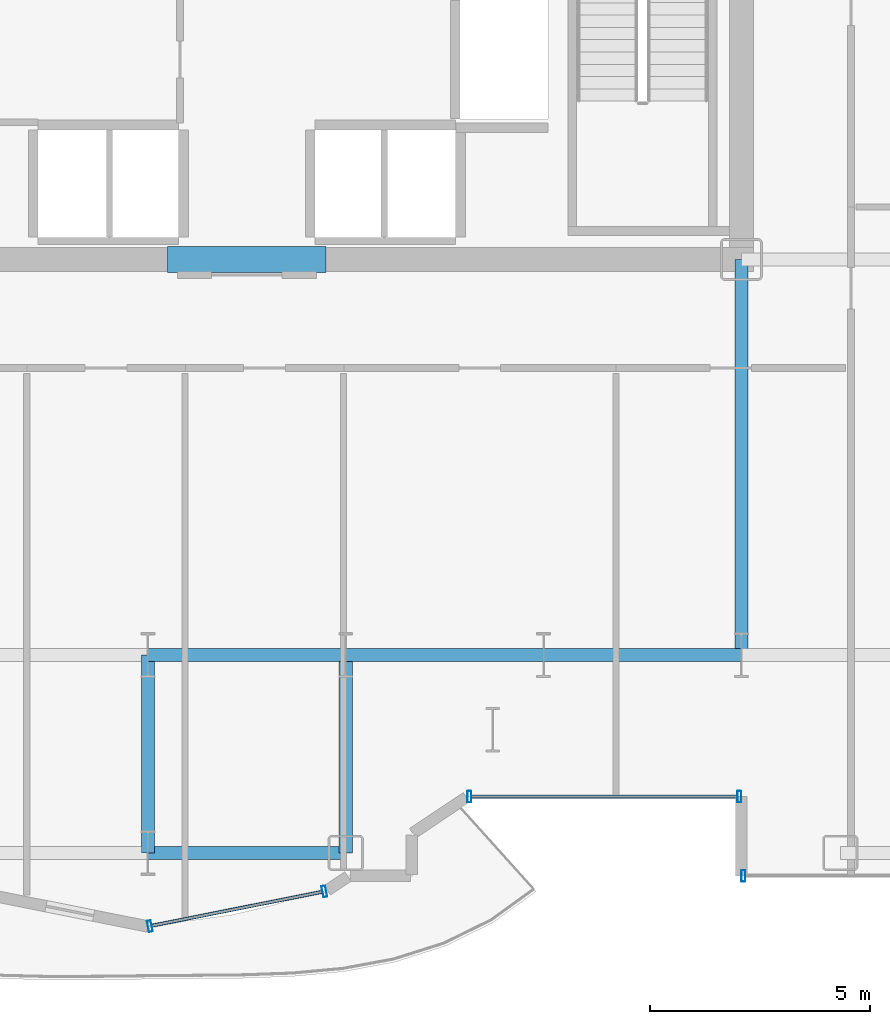
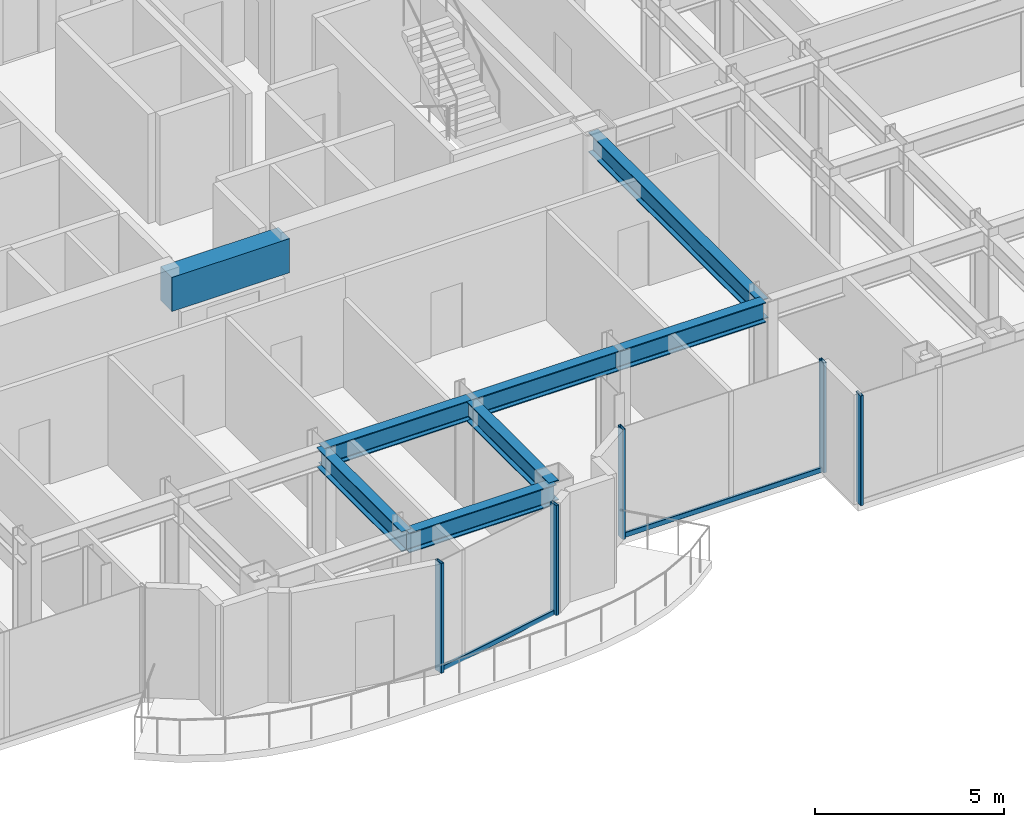
# One storey, part 8 of 29: 8 beams, 7 members, 3 elements without a shape of their own.
"""IFC4 building model written with IfcOpenShell, lengths in metres."""

from ifc_helpers import new_model, si_unit, direction, frame, origin, origin_2d, place, context, subcontext, project, spatial, rectangle, hollow_rectangle, i_section, extrude, source, transform, mapped, material, layer, layer_set, material_profile, profile_set, type_object, element, aggregate, save


model = new_model("IFC4")

# Units and contexts
model_context = context("Model", 3, precision=1e-05, world=origin(), true_north=direction((0.0, 1.0)))
body_context = subcontext(model_context, "Body", "Model", "MODEL_VIEW")
ifc_project = project(units=[si_unit("LENGTHUNIT", "METRE"), si_unit("AREAUNIT", "SQUARE_METRE"), si_unit("VOLUMEUNIT", "CUBIC_METRE"), si_unit("PLANEANGLEUNIT", "RADIAN"), si_unit("MASSUNIT", "GRAM", prefix="KILO")], contexts=[model_context])

# Site, building, storey
site_placement = place(None, origin())
site = spatial("IfcSite", under=ifc_project, at=site_placement, CompositionType="ELEMENT")
building_placement = place(site_placement, origin())
building = spatial("IfcBuilding", under=site, at=building_placement, Name="Nefas-Gora Pilgrimage Tower", CompositionType="ELEMENT")
storey_placement = place(building_placement, frame((0.0, 0.0, 113.60009765625)))
storey = spatial("IfcBuildingStorey", under=building, at=storey_placement, Name="L27", CompositionType="ELEMENT", Elevation=113.60009765625)

# Beams
ifc_material_1 = material(Name="Concrete C60/75", Category="concrete")
ifc_material_profile_1 = material_profile(ifc_material_1, rectangle(XDim=0.60009765625, YDim=1.10009765625, at=origin_2d()), Name="RC 600x1100")
ifc_profile_set_1 = profile_set([ifc_material_profile_1], Name="Concrete C60/75")
beam_type_1 = type_object("IfcBeamType", Name="BM-LIN-RC1100", PredefinedType="LINTEL", material=ifc_profile_set_1)
shared_shape_1 = source(origin(), body_context, "Body", "SweptSolid", [
    extrude(rectangle(XDim=0.60009765625, YDim=1.10009765625, at=origin_2d()), origin(), (0.0, 0.0, 1.0), 3.60009765625),
])
beam_1_placement = place(storey_placement, frame((-1.800048828125, -9.0, 3.0), z_axis=(1.0, 0.0, 0.0), x_axis=(0.0, 1.0, 0.0)))
element("IfcBeam", 1, at=beam_1_placement, inside=storey, type_object=beam_type_1, Name="L27 Core Coupling Lintel Beam S", PredefinedType="LINTEL", context=body_context, shape_type="MappedRepresentation", body=[
    mapped(shared_shape_1, transform((0.0, 0.0, 0.0), x_axis=(1.0, 0.0, 0.0), y_axis=(0.0, 1.0, 0.0), z_axis=(0.0, 0.0, 1.0), scale=1.0)),
])
ifc_material_2 = material(Name="Steel S355", Category="steel")
ifc_material_profile_2 = material_profile(ifc_material_2, i_section(OverallWidth=0.300048828125, OverallDepth=0.64990234375, WebThickness=0.01611328125, FlangeThickness=0.031005859375, FilletRadius=0.027099609375, at=origin_2d()), Name="HEB 650")
ifc_profile_set_2 = profile_set([ifc_material_profile_2], Name="Steel S355")
beam_type_2 = type_object("IfcBeamType", Name="BM-GIR-HEB650", PredefinedType="BEAM", material=ifc_profile_set_2)
shared_shape_2 = source(origin(), body_context, "Body", "SweptSolid", [
    extrude(i_section(OverallWidth=0.300048828125, OverallDepth=0.64990234375, WebThickness=0.01611328125, FlangeThickness=0.031005859375, FilletRadius=0.027099609375, at=origin_2d()), origin(), (0.0, 0.0, 1.0), 9.0),
])
beam_2_placement = place(storey_placement, frame((11.25, -18.0, 3.224853515625), z_axis=(0.0, 1.0, 0.0), x_axis=(-1.0, 0.0, 0.0)))
element("IfcBeam", 2, at=beam_2_placement, inside=storey, type_object=beam_type_2, Name="L27 G-03 beam", PredefinedType="BEAM", context=body_context, shape_type="MappedRepresentation", body=[
    mapped(shared_shape_2, transform((0.0, 0.0, 0.0), x_axis=(1.0, 0.0, 0.0), y_axis=(0.0, 1.0, 0.0), z_axis=(0.0, 0.0, 1.0), scale=1.0)),
])
shared_shape_3 = source(origin(), body_context, "Body", "SweptSolid", [
    extrude(i_section(OverallWidth=0.300048828125, OverallDepth=0.64990234375, WebThickness=0.01611328125, FlangeThickness=0.031005859375, FilletRadius=0.027099609375, at=origin_2d()), origin(), (0.0, 0.0, 1.0), 4.5),
])
for number, where, z_axis, x_axis, name in (
    (3, (-2.25, -22.5, 3.224853515625), (0.0, 1.0, 0.0), (-1.0, 0.0, 0.0), "L27 G-03 beam"),
    (4, (-2.25, -22.5, 3.224853515625), (1.0, 0.0, 0.0), (0.0, 1.0, 0.0), "L27 G-03 beam"),
    (5, (-2.25, -18.0, 3.224853515625), (1.0, 0.0, 0.0), (0.0, 1.0, 0.0), "L27 G-03 beam"),
    (6, (2.25, -22.5, 3.224853515625), (0.0, 1.0, 0.0), (-1.0, 0.0, 0.0), "L27 G-03 beam"),
    (7, (2.25, -18.0, 3.224853515625), (1.0, 0.0, 0.0), (0.0, 1.0, 0.0), "L27 G-03 beam"),
    (8, (6.75, -18.0, 3.224853515625), (1.0, 0.0, 0.0), (0.0, 1.0, 0.0), "L27 G-03 beam"),
):
    element("IfcBeam", number, at=place(storey_placement, frame(where, z_axis=z_axis, x_axis=x_axis)), inside=storey, type_object=beam_type_2, Name=name, PredefinedType="BEAM", context=body_context, shape_type="MappedRepresentation", body=[
        mapped(shared_shape_3, transform((0.0, 0.0, 0.0), x_axis=(1.0, 0.0, 0.0), y_axis=(0.0, 1.0, 0.0), z_axis=(0.0, 0.0, 1.0), scale=1.0)),
    ])

# Curtain wall, member
ifc_material_3 = material(Name="Dark ceramic-fritted solar-control aluminium-glass curtain wall", Category="aluminium")
ifc_layer_1 = layer(ifc_material_3, 0.219970703125)
ifc_layer_set_1 = layer_set([ifc_layer_1], Name="Dark ceramic-fritted solar-control aluminium-glass curtain wall")
curtain_wall_type_1 = type_object("IfcCurtainWallType", Name="CW-SYS-5", PredefinedType="NOTDEFINED", material=ifc_layer_set_1)
curtain_wall_1_placement = place(storey_placement, origin())
curtain_wall_1 = element("IfcCurtainWall", 9, at=curtain_wall_1_placement, inside=storey, type_object=curtain_wall_type_1, Name="L27 Unitised Curtain Wall CW5", PredefinedType="NOTDEFINED")
ifc_material_4 = material(Name="Anodised architectural aluminium", Category="aluminium")
ifc_material_profile_3 = material_profile(ifc_material_4, hollow_rectangle(XDim=0.080078125, YDim=0.159912109375, WallThickness=0.00439453125, InnerFilletRadius=0.00439453125, OuterFilletRadius=0.009033203125, at=origin_2d()), Name="ALU TRANSOM 80x160")
ifc_profile_set_3 = profile_set([ifc_material_profile_3], Name="Anodised architectural aluminium")
member_type_1 = type_object("IfcMemberType", Name="CWM-TRN-5", PredefinedType="USERDEFINED", material=ifc_profile_set_3)
shared_shape_4 = source(origin(), body_context, "Body", "SweptSolid", [
    extrude(hollow_rectangle(XDim=0.080078125, YDim=0.159912109375, WallThickness=0.00439453125, InnerFilletRadius=0.00439453125, OuterFilletRadius=0.009033203125, at=origin_2d()), origin(), (0.0, 0.0, 1.0), 6.052001953125),
])
member_1_placement = place(storey_placement, frame((5.10791015625, -21.219970703125, 0.0498046875), z_axis=(1.0, 0.0, 0.0), x_axis=(0.0, 1.0, 0.0)))
member_1 = element("IfcMember", 10, at=member_1_placement, type_object=member_type_1, Name="CW5 Spandrel Transom", ObjectType="TRANSOM", PredefinedType="USERDEFINED", context=body_context, shape_type="MappedRepresentation", body=[
    mapped(shared_shape_4, transform((0.0, 0.0, 0.0), x_axis=(1.0, 0.0, 0.0), y_axis=(0.0, 1.0, 0.0), z_axis=(0.0, 0.0, 1.0), scale=1.0)),
])

curtain_wall_2_placement = place(storey_placement, origin())
curtain_wall_2 = element("IfcCurtainWall", 11, at=curtain_wall_2_placement, inside=storey, type_object=curtain_wall_type_1, Name="L27 Unitised Curtain Wall CW5", PredefinedType="NOTDEFINED")
shared_shape_5 = source(origin(), body_context, "Body", "SweptSolid", [
    extrude(hollow_rectangle(XDim=0.080078125, YDim=0.159912109375, WallThickness=0.00439453125, InnerFilletRadius=0.00439453125, OuterFilletRadius=0.009033203125, at=origin_2d()), origin(), (0.0, 0.0, 1.0), 3.95654296875),
])
member_2_placement = place(storey_placement, frame((-2.16162109375, -24.15478515625, 0.0498046875), z_axis=(0.980781880918, 0.195107411605, 0.0), x_axis=(-0.195107411605, 0.980781880918, 0.0)))
member_2 = element("IfcMember", 12, at=member_2_placement, type_object=member_type_1, Name="CW5 Spandrel Transom", ObjectType="TRANSOM", PredefinedType="USERDEFINED", context=body_context, shape_type="MappedRepresentation", body=[
    mapped(shared_shape_5, transform((0.0, 0.0, 0.0), x_axis=(1.0, 0.0, 0.0), y_axis=(0.0, 1.0, 0.0), z_axis=(0.0, 0.0, 1.0), scale=1.0)),
])

# Member
ifc_material_profile_4 = material_profile(ifc_material_4, hollow_rectangle(XDim=0.090087890625, YDim=0.260009765625, WallThickness=0.006103515625, InnerFilletRadius=0.006103515625, OuterFilletRadius=0.011962890625, at=origin_2d()), Name="ALU MULLION 90x260")
ifc_profile_set_4 = profile_set([ifc_material_profile_4], Name="Anodised architectural aluminium")
member_type_2 = type_object("IfcMemberType", Name="CWM-MUL-5", PredefinedType="MULLION", material=ifc_profile_set_4)
shared_shape_6 = source(origin(), body_context, "Body", "SweptSolid", [
    extrude(hollow_rectangle(XDim=0.090087890625, YDim=0.260009765625, WallThickness=0.006103515625, InnerFilletRadius=0.006103515625, OuterFilletRadius=0.011962890625, at=origin_2d()), origin(), (0.0, 0.0, 1.0), 3.5498046875),
])
member_3_placement = place(storey_placement, frame((5.06298828125, -21.219970703125, 0.0), z_axis=(0.0, 0.0, 1.0), x_axis=(1.0, 0.0, 0.0)))
member_3 = element("IfcMember", 13, at=member_3_placement, type_object=member_type_2, Name="CW5 Mullion 1", PredefinedType="MULLION", context=body_context, shape_type="MappedRepresentation", body=[
    mapped(shared_shape_6, transform((0.0, 0.0, 0.0), x_axis=(1.0, 0.0, 0.0), y_axis=(0.0, 1.0, 0.0), z_axis=(0.0, 0.0, 1.0), scale=1.0)),
])

member_4_placement = place(storey_placement, frame((11.205078125, -21.219970703125, 0.0), z_axis=(0.0, 0.0, 1.0), x_axis=(1.0, 0.0, 0.0)))
member_4 = element("IfcMember", 14, at=member_4_placement, type_object=member_type_2, Name="CW5 Mullion 2", PredefinedType="MULLION", context=body_context, shape_type="MappedRepresentation", body=[
    mapped(shared_shape_6, transform((0.0, 0.0, 0.0), x_axis=(1.0, 0.0, 0.0), y_axis=(0.0, 1.0, 0.0), z_axis=(0.0, 0.0, 1.0), scale=1.0)),
])

aggregate(curtain_wall_1, [member_3, member_4, member_1])

member_5_placement = place(storey_placement, frame((-2.205810546875, -24.16357421875, 0.0), z_axis=(0.0, 0.0, 1.0), x_axis=(0.980782896852, 0.195102304554, 0.0)))
member_5 = element("IfcMember", 15, at=member_5_placement, type_object=member_type_2, Name="CW5 Mullion 1", PredefinedType="MULLION", context=body_context, shape_type="MappedRepresentation", body=[
    mapped(shared_shape_6, transform((0.0, 0.0, 0.0), x_axis=(1.0, 0.0, 0.0), y_axis=(0.0, 1.0, 0.0), z_axis=(0.0, 0.0, 1.0), scale=1.0)),
])

member_6_placement = place(storey_placement, frame((1.76318359375, -23.3740234375, 0.0), z_axis=(0.0, 0.0, 1.0), x_axis=(0.980782896852, 0.195102304554, 0.0)))
member_6 = element("IfcMember", 16, at=member_6_placement, type_object=member_type_2, Name="CW5 Mullion 2", PredefinedType="MULLION", context=body_context, shape_type="MappedRepresentation", body=[
    mapped(shared_shape_6, transform((0.0, 0.0, 0.0), x_axis=(1.0, 0.0, 0.0), y_axis=(0.0, 1.0, 0.0), z_axis=(0.0, 0.0, 1.0), scale=1.0)),
])

aggregate(curtain_wall_2, [member_5, member_6, member_2])

# Curtain wall, member
ifc_layer_2 = layer(ifc_material_3, 0.219970703125)
ifc_layer_set_2 = layer_set([ifc_layer_2], Name="Dark ceramic-fritted solar-control aluminium-glass curtain wall")
curtain_wall_type_2 = type_object("IfcCurtainWallType", Name="CW-SYS-2", PredefinedType="NOTDEFINED", material=ifc_layer_set_2)
curtain_wall_3_placement = place(storey_placement, origin())
curtain_wall_3 = element("IfcCurtainWall", 17, at=curtain_wall_3_placement, inside=storey, type_object=curtain_wall_type_2, Name="L27 Unitised Curtain Wall CW2", PredefinedType="NOTDEFINED")
ifc_material_profile_5 = material_profile(ifc_material_4, hollow_rectangle(XDim=0.090087890625, YDim=0.260009765625, WallThickness=0.006103515625, InnerFilletRadius=0.006103515625, OuterFilletRadius=0.011962890625, at=origin_2d()), Name="ALU MULLION 90x260")
ifc_profile_set_5 = profile_set([ifc_material_profile_5], Name="Anodised architectural aluminium")
member_type_3 = type_object("IfcMemberType", Name="CWM-MUL-2", PredefinedType="MULLION", material=ifc_profile_set_5)
shared_shape_7 = source(origin(), body_context, "Body", "SweptSolid", [
    extrude(hollow_rectangle(XDim=0.090087890625, YDim=0.260009765625, WallThickness=0.006103515625, InnerFilletRadius=0.006103515625, OuterFilletRadius=0.011962890625, at=origin_2d()), origin(), (0.0, 0.0, 1.0), 3.5498046875),
])
member_7_placement = place(storey_placement, frame((11.294921875, -23.02001953125, 0.0), z_axis=(0.0, 0.0, 1.0), x_axis=(1.0, 0.0, 0.0)))
member_7 = element("IfcMember", 18, at=member_7_placement, type_object=member_type_3, Name="CW2 Mullion 1", PredefinedType="MULLION", context=body_context, shape_type="MappedRepresentation", body=[
    mapped(shared_shape_7, transform((0.0, 0.0, 0.0), x_axis=(1.0, 0.0, 0.0), y_axis=(0.0, 1.0, 0.0), z_axis=(0.0, 0.0, 1.0), scale=1.0)),
])
aggregate(curtain_wall_3, [member_7])

save(model, "model.ifc")
